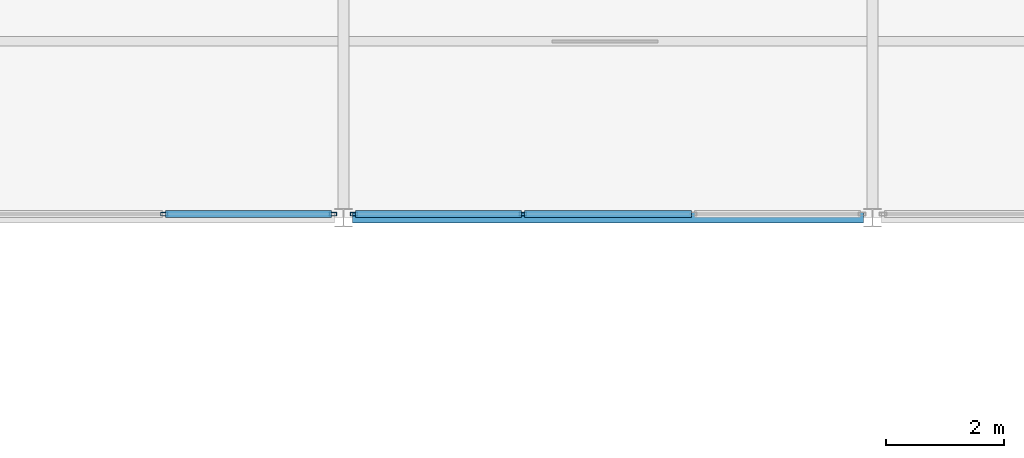
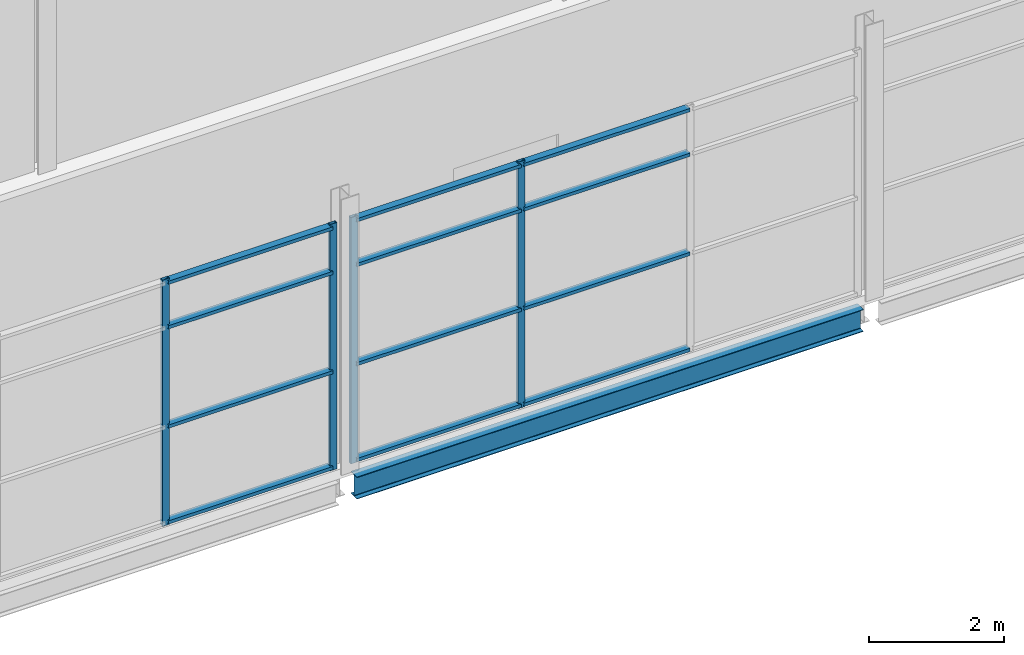
# One storey, part 26 of 61: 16 members, 1 beam, 2 elements without a shape of their own.
"""IFC4 building model written with IfcOpenShell, lengths in metres."""

from ifc_helpers import new_model, si_unit, direction, frame, origin, origin_2d, place, context, subcontext, project, spatial, hollow_rectangle, i_section, extrude, material, layer, layer_set, material_profile, profile_set, type_object, element, aggregate, save


model = new_model("IFC4")

# Units and contexts
model_context = context("Model", 3, precision=1e-05, world=origin(), true_north=direction((0.0, 1.0)))
body_context = subcontext(model_context, "Body", "Model", "MODEL_VIEW")
ifc_project = project(units=[si_unit("LENGTHUNIT", "METRE"), si_unit("AREAUNIT", "SQUARE_METRE"), si_unit("VOLUMEUNIT", "CUBIC_METRE"), si_unit("PLANEANGLEUNIT", "RADIAN"), si_unit("MASSUNIT", "GRAM", prefix="KILO")], contexts=[model_context])

# Site, building, storey
site_placement = place(None, origin())
site = spatial("IfcSite", under=ifc_project, at=site_placement, CompositionType="ELEMENT")
building_placement = place(site_placement, origin())
building = spatial("IfcBuilding", under=site, at=building_placement, Name="Shorebreak Coast Museum", CompositionType="ELEMENT")
storey_placement = place(building_placement, frame((0.0, 0.0, 26.0)))
storey = spatial("IfcBuildingStorey", under=building, at=storey_placement, Name="L04", CompositionType="ELEMENT", Elevation=26.0)

# Beam
ifc_material_1 = material(Name="Steel Grade 300", Category="steel")
ifc_material_profile_1 = material_profile(ifc_material_1, i_section(OverallWidth=0.177978515625, OverallDepth=0.402587890625, WebThickness=0.007568359375, FlangeThickness=0.010986328125, FilletRadius=0.011474609375, at=origin_2d()), Name="410UB53.7")
ifc_profile_set_1 = profile_set([ifc_material_profile_1], Name="Steel Grade 300")
beam_type = type_object("IfcBeamType", Name="Floor girder east-west 410UB53.7", PredefinedType="BEAM", material=ifc_profile_set_1)
beam_placement = place(storey_placement, frame((81.154541015625, 81.0, -0.376220703125), z_axis=(1.0, 0.0, 0.0), x_axis=(0.0, 1.0, 0.0)))
element("IfcBeam", 1, at=beam_placement, inside=storey, type_object=beam_type, Name="Floor girder east-west L04 10K", PredefinedType="BEAM", context=body_context, shape_type="SweptSolid", body=[
    extrude(i_section(OverallWidth=0.177978515625, OverallDepth=0.402587890625, WebThickness=0.007568359375, FlangeThickness=0.010986328125, FilletRadius=0.011474609375, at=origin_2d()), origin(), (0.0, 0.0, 1.0), 8.69091796875),
])

# Curtain wall, members
ifc_material_2 = material(Name="Aluminium", Category="aluminium")
ifc_layer = layer(ifc_material_2, 0.1201171875)
ifc_layer_set = layer_set([ifc_layer], Name="Aluminium")
curtain_wall_type = type_object("IfcCurtainWallType", Name="Atrium fire screen", PredefinedType="NOTDEFINED", material=ifc_layer_set)
curtain_wall_1_placement = place(storey_placement, origin())
curtain_wall_1 = element("IfcCurtainWall", 2, at=curtain_wall_1_placement, inside=storey, type_object=curtain_wall_type, Name="Atrium screen L04 N 55", PredefinedType="NOTDEFINED")
ifc_material_3 = material(Name="Aluminium", Category="aluminium")
ifc_material_profile_2 = material_profile(ifc_material_3, hollow_rectangle(XDim=0.06005859375, YDim=0.1201171875, WallThickness=0.00341796875, at=origin_2d()), Name="AL 120x60 RHS")
ifc_profile_set_2 = profile_set([ifc_material_profile_2], Name="Aluminium")
member_type_1 = type_object("IfcMemberType", Name="Screen mullion 50 x 120", PredefinedType="MULLION", material=ifc_profile_set_2)
member_1_placement = place(storey_placement, frame((77.94873046875, 81.06005859375, 0.0), z_axis=(0.0, 0.0, 1.0), x_axis=(0.0, 1.0, 0.0)))
member_1 = element("IfcMember", 3, at=member_1_placement, type_object=member_type_1, Name="CW5 mullion 3", PredefinedType="MULLION", context=body_context, shape_type="SweptSolid", body=[
    extrude(hollow_rectangle(XDim=0.06005859375, YDim=0.1201171875, WallThickness=0.00341796875, at=origin_2d()), origin(), (0.0, 0.0, 1.0), 4.469482421875),
])
member_2_placement = place(storey_placement, frame((80.821533203125, 81.06005859375, 0.0), z_axis=(0.0, 0.0, 1.0), x_axis=(0.0, 1.0, 0.0)))
member_2 = element("IfcMember", 4, at=member_2_placement, type_object=member_type_1, Name="CW5 mullion 4", PredefinedType="MULLION", context=body_context, shape_type="SweptSolid", body=[
    extrude(hollow_rectangle(XDim=0.06005859375, YDim=0.1201171875, WallThickness=0.00341796875, at=origin_2d()), origin(), (0.0, 0.0, 1.0), 4.469482421875),
])

curtain_wall_2_placement = place(storey_placement, origin())
curtain_wall_2 = element("IfcCurtainWall", 5, at=curtain_wall_2_placement, inside=storey, type_object=curtain_wall_type, Name="Atrium screen L04 N 56", PredefinedType="NOTDEFINED")
member_3_placement = place(storey_placement, frame((81.178466796875, 81.06005859375, 0.0), z_axis=(0.0, 0.0, 1.0), x_axis=(0.0, 1.0, 0.0)))
member_3 = element("IfcMember", 6, at=member_3_placement, type_object=member_type_1, Name="CW6 mullion 1", PredefinedType="MULLION", context=body_context, shape_type="SweptSolid", body=[
    extrude(hollow_rectangle(XDim=0.06005859375, YDim=0.1201171875, WallThickness=0.00341796875, at=origin_2d()), origin(), (0.0, 0.0, 1.0), 4.469482421875),
])
member_4_placement = place(storey_placement, frame((84.05126953125, 81.06005859375, 0.0), z_axis=(0.0, 0.0, 1.0), x_axis=(0.0, 1.0, 0.0)))
member_4 = element("IfcMember", 7, at=member_4_placement, type_object=member_type_1, Name="CW6 mullion 2", PredefinedType="MULLION", context=body_context, shape_type="SweptSolid", body=[
    extrude(hollow_rectangle(XDim=0.06005859375, YDim=0.1201171875, WallThickness=0.00341796875, at=origin_2d()), origin(), (0.0, 0.0, 1.0), 4.469482421875),
])

# Member
ifc_material_4 = material(Name="Aluminium", Category="aluminium")
ifc_material_profile_3 = material_profile(ifc_material_4, hollow_rectangle(XDim=0.1201171875, YDim=0.06005859375, WallThickness=0.00341796875, at=origin_2d()), Name="AL 60x120 RHS")
ifc_profile_set_3 = profile_set([ifc_material_profile_3], Name="Aluminium")
member_type_2 = type_object("IfcMemberType", Name="Screen transom 120 x 50", PredefinedType="USERDEFINED", material=ifc_profile_set_3)
member_5_placement = place(storey_placement, frame((77.973876953125, 81.06005859375, 0.06005859375), z_axis=(1.0, 0.0, 0.0), x_axis=(0.0, 1.0, 0.0)))
member_5 = element("IfcMember", 8, at=member_5_placement, type_object=member_type_2, Name="CW5 transom 3.1", ObjectType="TRANSOM", PredefinedType="USERDEFINED", context=body_context, shape_type="SweptSolid", body=[
    extrude(hollow_rectangle(XDim=0.1201171875, YDim=0.06005859375, WallThickness=0.00341796875, at=origin_2d()), origin(), (0.0, 0.0, 1.0), 2.822509765625),
])

member_6_placement = place(storey_placement, frame((77.973876953125, 81.06005859375, 1.800048828125), z_axis=(1.0, 0.0, 0.0), x_axis=(0.0, 1.0, 0.0)))
member_6 = element("IfcMember", 9, at=member_6_placement, type_object=member_type_2, Name="CW5 transom 3.2", ObjectType="TRANSOM", PredefinedType="USERDEFINED", context=body_context, shape_type="SweptSolid", body=[
    extrude(hollow_rectangle(XDim=0.1201171875, YDim=0.06005859375, WallThickness=0.00341796875, at=origin_2d()), origin(), (0.0, 0.0, 1.0), 2.822509765625),
])

member_7_placement = place(storey_placement, frame((77.973876953125, 81.06005859375, 3.60009765625), z_axis=(1.0, 0.0, 0.0), x_axis=(0.0, 1.0, 0.0)))
member_7 = element("IfcMember", 10, at=member_7_placement, type_object=member_type_2, Name="CW5 transom 3.3", ObjectType="TRANSOM", PredefinedType="USERDEFINED", context=body_context, shape_type="SweptSolid", body=[
    extrude(hollow_rectangle(XDim=0.1201171875, YDim=0.06005859375, WallThickness=0.00341796875, at=origin_2d()), origin(), (0.0, 0.0, 1.0), 2.822509765625),
])

member_8_placement = place(storey_placement, frame((77.973876953125, 81.06005859375, 4.409423828125), z_axis=(1.0, 0.0, 0.0), x_axis=(0.0, 1.0, 0.0)))
member_8 = element("IfcMember", 11, at=member_8_placement, type_object=member_type_2, Name="CW5 transom 3.4", ObjectType="TRANSOM", PredefinedType="USERDEFINED", context=body_context, shape_type="SweptSolid", body=[
    extrude(hollow_rectangle(XDim=0.1201171875, YDim=0.06005859375, WallThickness=0.00341796875, at=origin_2d()), origin(), (0.0, 0.0, 1.0), 2.822509765625),
])

aggregate(curtain_wall_1, [member_1, member_2, member_5, member_6, member_7, member_8])

member_9_placement = place(storey_placement, frame((81.20361328125, 81.06005859375, 0.06005859375), z_axis=(1.0, 0.0, 0.0), x_axis=(0.0, 1.0, 0.0)))
member_9 = element("IfcMember", 12, at=member_9_placement, type_object=member_type_2, Name="CW6 transom 1.1", ObjectType="TRANSOM", PredefinedType="USERDEFINED", context=body_context, shape_type="SweptSolid", body=[
    extrude(hollow_rectangle(XDim=0.1201171875, YDim=0.06005859375, WallThickness=0.00341796875, at=origin_2d()), origin(), (0.0, 0.0, 1.0), 2.822509765625),
])

member_10_placement = place(storey_placement, frame((81.20361328125, 81.06005859375, 1.800048828125), z_axis=(1.0, 0.0, 0.0), x_axis=(0.0, 1.0, 0.0)))
member_10 = element("IfcMember", 13, at=member_10_placement, type_object=member_type_2, Name="CW6 transom 1.2", ObjectType="TRANSOM", PredefinedType="USERDEFINED", context=body_context, shape_type="SweptSolid", body=[
    extrude(hollow_rectangle(XDim=0.1201171875, YDim=0.06005859375, WallThickness=0.00341796875, at=origin_2d()), origin(), (0.0, 0.0, 1.0), 2.822509765625),
])

member_11_placement = place(storey_placement, frame((81.20361328125, 81.06005859375, 3.60009765625), z_axis=(1.0, 0.0, 0.0), x_axis=(0.0, 1.0, 0.0)))
member_11 = element("IfcMember", 14, at=member_11_placement, type_object=member_type_2, Name="CW6 transom 1.3", ObjectType="TRANSOM", PredefinedType="USERDEFINED", context=body_context, shape_type="SweptSolid", body=[
    extrude(hollow_rectangle(XDim=0.1201171875, YDim=0.06005859375, WallThickness=0.00341796875, at=origin_2d()), origin(), (0.0, 0.0, 1.0), 2.822509765625),
])

member_12_placement = place(storey_placement, frame((81.20361328125, 81.06005859375, 4.409423828125), z_axis=(1.0, 0.0, 0.0), x_axis=(0.0, 1.0, 0.0)))
member_12 = element("IfcMember", 15, at=member_12_placement, type_object=member_type_2, Name="CW6 transom 1.4", ObjectType="TRANSOM", PredefinedType="USERDEFINED", context=body_context, shape_type="SweptSolid", body=[
    extrude(hollow_rectangle(XDim=0.1201171875, YDim=0.06005859375, WallThickness=0.00341796875, at=origin_2d()), origin(), (0.0, 0.0, 1.0), 2.822509765625),
])

member_13_placement = place(storey_placement, frame((84.076171875, 81.06005859375, 0.06005859375), z_axis=(1.0, 0.0, 0.0), x_axis=(0.0, 1.0, 0.0)))
member_13 = element("IfcMember", 16, at=member_13_placement, type_object=member_type_2, Name="CW6 transom 2.1", ObjectType="TRANSOM", PredefinedType="USERDEFINED", context=body_context, shape_type="SweptSolid", body=[
    extrude(hollow_rectangle(XDim=0.1201171875, YDim=0.06005859375, WallThickness=0.00341796875, at=origin_2d()), origin(), (0.0, 0.0, 1.0), 2.84765625),
])

member_14_placement = place(storey_placement, frame((84.076171875, 81.06005859375, 1.800048828125), z_axis=(1.0, 0.0, 0.0), x_axis=(0.0, 1.0, 0.0)))
member_14 = element("IfcMember", 17, at=member_14_placement, type_object=member_type_2, Name="CW6 transom 2.2", ObjectType="TRANSOM", PredefinedType="USERDEFINED", context=body_context, shape_type="SweptSolid", body=[
    extrude(hollow_rectangle(XDim=0.1201171875, YDim=0.06005859375, WallThickness=0.00341796875, at=origin_2d()), origin(), (0.0, 0.0, 1.0), 2.84765625),
])

member_15_placement = place(storey_placement, frame((84.076171875, 81.06005859375, 3.60009765625), z_axis=(1.0, 0.0, 0.0), x_axis=(0.0, 1.0, 0.0)))
member_15 = element("IfcMember", 18, at=member_15_placement, type_object=member_type_2, Name="CW6 transom 2.3", ObjectType="TRANSOM", PredefinedType="USERDEFINED", context=body_context, shape_type="SweptSolid", body=[
    extrude(hollow_rectangle(XDim=0.1201171875, YDim=0.06005859375, WallThickness=0.00341796875, at=origin_2d()), origin(), (0.0, 0.0, 1.0), 2.84765625),
])

member_16_placement = place(storey_placement, frame((84.076171875, 81.06005859375, 4.409423828125), z_axis=(1.0, 0.0, 0.0), x_axis=(0.0, 1.0, 0.0)))
member_16 = element("IfcMember", 19, at=member_16_placement, type_object=member_type_2, Name="CW6 transom 2.4", ObjectType="TRANSOM", PredefinedType="USERDEFINED", context=body_context, shape_type="SweptSolid", body=[
    extrude(hollow_rectangle(XDim=0.1201171875, YDim=0.06005859375, WallThickness=0.00341796875, at=origin_2d()), origin(), (0.0, 0.0, 1.0), 2.84765625),
])

aggregate(curtain_wall_2, [member_3, member_4, member_9, member_10, member_11, member_12, member_13, member_14, member_15, member_16])

save(model, "model.ifc")
